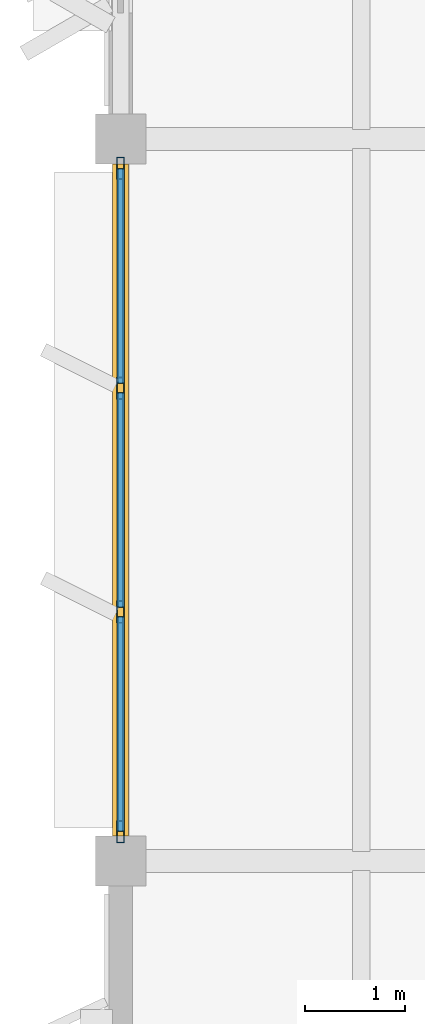
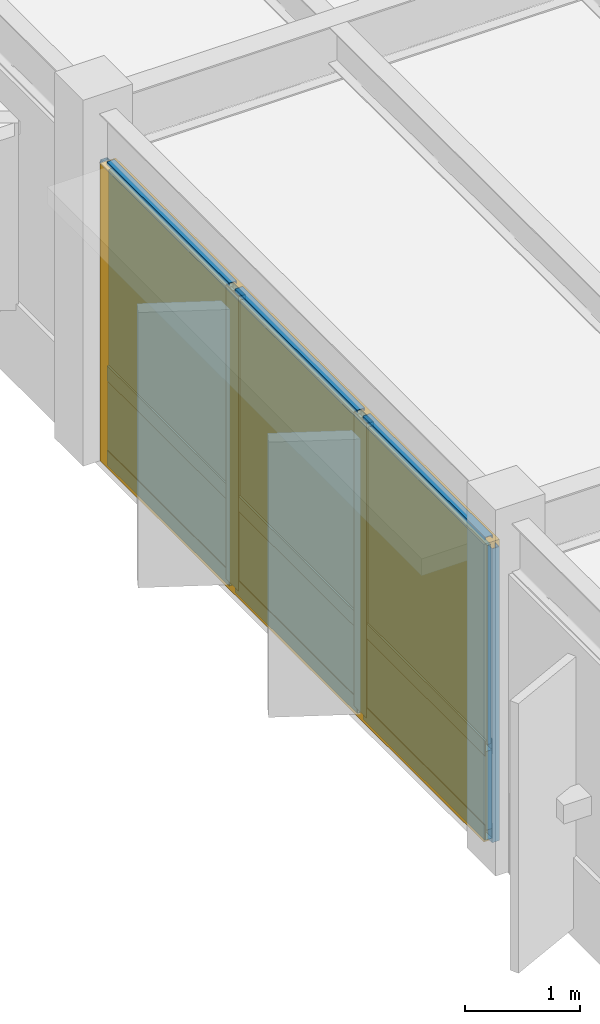
# One storey, part 49 of 82: 13 members, 6 plates, 1 curtain wall.
"""IFC4 building model written with IfcOpenShell, lengths in metres."""

import ifcopenshell
import ifcopenshell.guid

model = None  # the IFC model being written
_history = None  # IfcOwnerHistory: only IFC2X3 demands one
_inside = {}  # id of a spatial element -> (the spatial element, [elements in it])
_under = {}  # id of a project, library or spatial element -> (it, [spatial elements below it])
_declared = {}  # id of a project -> (the project, [libraries it declares])
_typed = {}  # id of a type object -> (the type object, [elements of that type])
_made_of = {}  # id of a material, layer set ... -> (it, [elements and type objects made of it])


def new_model(schema):
    """Start an empty IFC model of exactly this schema.

    Asked for "IFC4X3", IfcOpenShell would pick the latest addendum, in which some entities
    have other attributes; the version numbers below select the first issue.
    IFC2X3 requires an IfcOwnerHistory on every rooted entity: one is made here for all.
    """
    global model, _history
    if schema == "IFC4X3":
        model = ifcopenshell.file(schema_version=(4, 3, 0, 0))
    else:
        model = ifcopenshell.file(schema=schema)
    _inside.clear()
    _under.clear()
    _declared.clear()
    _typed.clear()
    _made_of.clear()
    _history = None
    if model.schema == "IFC2X3":
        org = make("IfcOrganization", Name="unknown")
        user = make(
            "IfcPersonAndOrganization",
            ThePerson=make("IfcPerson", FamilyName="unknown"),
            TheOrganization=org,
        )
        app = make(
            "IfcApplication",
            ApplicationDeveloper=org,
            Version="unknown",
            ApplicationFullName="unknown",
            ApplicationIdentifier="unknown",
        )
        _history = make(
            "IfcOwnerHistory",
            OwningUser=user,
            OwningApplication=app,
            ChangeAction="ADDED",
            CreationDate=0,
        )
    return model


def make(cls, **values):
    """One entity of the class cls with the attributes given. An attribute that is None is left unset."""
    return model.create_entity(
        cls, **{name: value for name, value in values.items() if value is not None}
    )


def rooted(cls, **values):
    """An entity with a GlobalId (a new one), such as an element, a storey or a relation."""
    return make(cls, GlobalId=ifcopenshell.guid.new(), OwnerHistory=_history, **values)


def si_unit(unit_type, name, prefix=None):
    """IfcSIUnit, for example si_unit("LENGTHUNIT", "METRE", prefix="MILLI")."""
    return make("IfcSIUnit", UnitType=unit_type, Prefix=prefix, Name=name)


def assignment(units):
    """IfcUnitAssignment: the units of a project."""
    return None if units is None else make("IfcUnitAssignment", Units=units)


def point(xyz):
    """IfcCartesianPoint."""
    return None if xyz is None else make("IfcCartesianPoint", Coordinates=xyz)


def direction(xyz):
    """IfcDirection."""
    return None if xyz is None else make("IfcDirection", DirectionRatios=xyz)


def frame(location, z_axis=None, x_axis=None):
    """IfcAxis2Placement3D, a coordinate frame: its origin and axes. An axis left out is left unset."""
    return make(
        "IfcAxis2Placement3D",
        Location=point(location),
        Axis=direction(z_axis),
        RefDirection=direction(x_axis),
    )


def frame_2d(location, x_axis=None):
    """IfcAxis2Placement2D, a coordinate frame in the plane: its origin and x axis."""
    return make(
        "IfcAxis2Placement2D", Location=point(location), RefDirection=direction(x_axis)
    )


def origin():
    """The frame at (0, 0, 0) with its axes left unset."""
    return frame((0.0, 0.0, 0.0))


def origin_2d():
    """The frame at (0, 0) in the plane with its x axis left unset."""
    return frame_2d((0.0, 0.0))


def place(relative_to, where):
    """IfcLocalPlacement: puts the frame where relative to a parent placement (None: the world)."""
    return make(
        "IfcLocalPlacement", PlacementRelTo=relative_to, RelativePlacement=where
    )


def context(
    kind, dimensions, precision=None, world=None, true_north=None, identifier=None
):
    """IfcGeometricRepresentationContext, for example the 3D "Model" context."""
    return make(
        "IfcGeometricRepresentationContext",
        ContextIdentifier=identifier,
        ContextType=kind,
        CoordinateSpaceDimension=dimensions,
        Precision=precision,
        WorldCoordinateSystem=world,
        TrueNorth=true_north,
    )


def subcontext(parent, identifier, kind, view, scale=None):
    """IfcGeometricRepresentationSubContext, for example "Body" below "Model"."""
    return make(
        "IfcGeometricRepresentationSubContext",
        ContextIdentifier=identifier,
        ContextType=kind,
        ParentContext=parent,
        TargetScale=scale,
        TargetView=view,
    )


def project(units=None, contexts=None):
    """IfcProject with its units and contexts."""
    return rooted(
        "IfcProject",
        Name="project",
        RepresentationContexts=contexts,
        UnitsInContext=assignment(units),
    )


def spatial(cls, under=None, at=None, **own):
    """A site, building, storey or space (cls), placed at a placement, below another one or the project."""
    s = rooted(cls, ObjectPlacement=at, **own)
    if under is not None:
        _under.setdefault(under.id(), (under, []))[1].append(s)
    return s


def profile(cls, at=None, kind="AREA", **sizes):
    """A parametric profile (cls). Its sizes go by their IFC names, for example OverallWidth=200.0."""
    return make(cls, ProfileType=kind, Position=at, **sizes)


def rectangle(**sizes):
    """IfcRectangleProfileDef."""
    return profile("IfcRectangleProfileDef", **sizes)


def hollow_rectangle(**sizes):
    """IfcRectangleHollowProfileDef."""
    return profile("IfcRectangleHollowProfileDef", **sizes)


def extrude(swept, where, along, depth):
    """IfcExtrudedAreaSolid: the profile swept, set in the frame where, extruded along a direction by depth."""
    return make(
        "IfcExtrudedAreaSolid",
        SweptArea=swept,
        Position=where,
        ExtrudedDirection=direction(along),
        Depth=depth,
    )


def shape(context_of_items, identifier, shape_type, items):
    """IfcShapeRepresentation: the items that make up one representation, for example the "Body"."""
    return make(
        "IfcShapeRepresentation",
        ContextOfItems=context_of_items,
        RepresentationIdentifier=identifier,
        RepresentationType=shape_type,
        Items=items,
    )


def material(Name=None, Category=None):
    """IfcMaterial."""
    return make("IfcMaterial", Name=Name, Category=Category)


def layer(
    of_material, thickness, ventilated=None, Name=None, Category=None, Priority=None
):
    """IfcMaterialLayer: one layer of a wall or slab, of a material (None: an air gap)."""
    return make(
        "IfcMaterialLayer",
        Material=of_material,
        LayerThickness=thickness,
        IsVentilated=ventilated,
        Name=Name,
        Category=Category,
        Priority=Priority,
    )


def layer_set(layers, Name=None):
    """IfcMaterialLayerSet."""
    return make("IfcMaterialLayerSet", MaterialLayers=layers, LayerSetName=Name)


def material_profile(
    of_material, cross_section, Name=None, Category=None, Priority=None
):
    """IfcMaterialProfile: a cross section and its material."""
    return make(
        "IfcMaterialProfile",
        Name=Name,
        Material=of_material,
        Profile=cross_section,
        Priority=Priority,
        Category=Category,
    )


def profile_set(profiles, Name=None, composite=None):
    """IfcMaterialProfileSet."""
    return make(
        "IfcMaterialProfileSet",
        Name=Name,
        MaterialProfiles=profiles,
        CompositeProfile=composite,
    )


def made_of(thing, what):
    """Note that an element or type object is made of a material, layer set ...; save() writes the relation."""
    if what is not None:
        _made_of.setdefault(what.id(), (what, []))[1].append(thing)
    return thing


def type_object(cls, material=None, **own):
    """A type object (cls), such as IfcWallType, which elements share."""
    return made_of(rooted(cls, **own), material)


def element(
    cls,
    number,
    at=None,
    inside=None,
    cuts=None,
    type_object=None,
    material=None,
    context=None,
    identifier="Body",
    shape_type=None,
    held_by="IfcProductDefinitionShape",
    body=None,
    shapes=None,
    **own,
):
    """One element of the class cls, such as IfcWall. Its Tag is "e" and its number.

    at: its placement. inside: the storey or other place that contains it. cuts: it is an
    opening in that element (IfcRelVoidsElement). A single representation is given by context,
    identifier, shape_type and body (its items); several are given by shapes. held_by: the class
    of the entity that holds the representations. save() writes the other relations.
    """
    e = rooted(cls, Tag="e%d" % number, ObjectPlacement=at, **own)
    if body is not None:
        shapes = [shape(context, identifier, shape_type, body)]
    if shapes is not None:
        e.Representation = make(held_by, Representations=shapes)
    if inside is not None:
        _inside.setdefault(inside.id(), (inside, []))[1].append(e)
    if cuts is not None:
        rooted(
            "IfcRelVoidsElement", RelatingBuildingElement=cuts, RelatedOpeningElement=e
        )
    if type_object is not None:
        _typed.setdefault(type_object.id(), (type_object, []))[1].append(e)
    return made_of(e, material)


def aggregate(whole, parts):
    """IfcRelAggregates: a whole, such as a stair, and the parts it consists of."""
    return rooted("IfcRelAggregates", RelatingObject=whole, RelatedObjects=parts)


def save(model, path):
    """Write the relations noted so far, then the file.

    IfcRelAggregates (storeys below a building ...), IfcRelContainedInSpatialStructure (elements
    in a storey), IfcRelDefinesByType, IfcRelAssociatesMaterial and IfcRelDeclares: one each for
    every whole, place, type object, material and project.
    """
    for whole, parts in _under.values():
        aggregate(whole, parts)
    for where, things in _inside.values():
        rooted(
            "IfcRelContainedInSpatialStructure",
            RelatedElements=things,
            RelatingStructure=where,
        )
    for kind, things in _typed.values():
        rooted("IfcRelDefinesByType", RelatedObjects=things, RelatingType=kind)
    for what, things in _made_of.values():
        rooted("IfcRelAssociatesMaterial", RelatedObjects=things, RelatingMaterial=what)
    for by, libraries in _declared.values():
        rooted("IfcRelDeclares", RelatingContext=by, RelatedDefinitions=libraries)
    model.write(path)


model = new_model("IFC4")

# Units and contexts
model_context = context("Model", 3, precision=1e-05, world=origin(), true_north=direction((0.0, 1.0)))
body_context = subcontext(model_context, "Body", "Model", "MODEL_VIEW")
ifc_project = project(units=[si_unit("LENGTHUNIT", "METRE"), si_unit("AREAUNIT", "SQUARE_METRE"), si_unit("VOLUMEUNIT", "CUBIC_METRE"), si_unit("PLANEANGLEUNIT", "RADIAN"), si_unit("MASSUNIT", "GRAM", prefix="KILO")], contexts=[model_context])

# Member
ifc_material_1 = material(Name="Anodized Aluminium 6063-T6", Category="aluminium")
ifc_material_profile_1 = material_profile(ifc_material_1, hollow_rectangle(XDim=0.074951171875, YDim=0.219970703125, WallThickness=0.0048828125, at=origin_2d()), Name="ALU 75x220x5")
ifc_profile_set_1 = profile_set([ifc_material_profile_1], Name="Anodized Aluminium 6063-T6")
member_type_1 = type_object("IfcMemberType", Name="CWM-75X180", PredefinedType="MULLION", material=ifc_profile_set_1)
site_placement = place(None, origin())
building_placement = place(site_placement, origin())
storey_placement = place(building_placement, frame((0.0, 0.0, 14.10009765625)))
member_1_placement = place(storey_placement, frame((7.199951171875, 65.090087890625, 0.02001953125), z_axis=(0.0, 0.0, 1.0), x_axis=(1.0, 0.0, 0.0)))
member_1 = element("IfcMember", 1, at=member_1_placement, type_object=member_type_1, Name="Curtain wall mullion CW-L04-01-09-W-00", PredefinedType="MULLION", context=body_context, shape_type="SweptSolid", body=[
    extrude(hollow_rectangle(XDim=0.074951171875, YDim=0.219970703125, WallThickness=0.0048828125, at=origin_2d()), origin(), (0.0, 0.0, 1.0), 3.1318359375),
])

member_2_placement = place(storey_placement, frame((7.199951171875, 67.283203125, 0.02001953125), z_axis=(0.0, 0.0, 1.0), x_axis=(1.0, 0.0, 0.0)))
member_2 = element("IfcMember", 2, at=member_2_placement, type_object=member_type_1, Name="Curtain wall mullion CW-L04-01-09-W-01", PredefinedType="MULLION", context=body_context, shape_type="SweptSolid", body=[
    extrude(hollow_rectangle(XDim=0.074951171875, YDim=0.219970703125, WallThickness=0.0048828125, at=origin_2d()), origin(), (0.0, 0.0, 1.0), 3.1318359375),
])

member_3_placement = place(storey_placement, frame((7.199951171875, 69.5166015625, 0.02001953125), z_axis=(0.0, 0.0, 1.0), x_axis=(1.0, 0.0, 0.0)))
member_3 = element("IfcMember", 3, at=member_3_placement, type_object=member_type_1, Name="Curtain wall mullion CW-L04-01-09-W-02", PredefinedType="MULLION", context=body_context, shape_type="SweptSolid", body=[
    extrude(hollow_rectangle(XDim=0.074951171875, YDim=0.219970703125, WallThickness=0.0048828125, at=origin_2d()), origin(), (0.0, 0.0, 1.0), 3.1318359375),
])

member_4_placement = place(storey_placement, frame((7.199951171875, 71.7099609375, 0.02001953125), z_axis=(0.0, 0.0, 1.0), x_axis=(1.0, 0.0, 0.0)))
member_4 = element("IfcMember", 4, at=member_4_placement, type_object=member_type_1, Name="Curtain wall mullion CW-L04-01-09-W-03", PredefinedType="MULLION", context=body_context, shape_type="SweptSolid", body=[
    extrude(hollow_rectangle(XDim=0.074951171875, YDim=0.219970703125, WallThickness=0.0048828125, at=origin_2d()), origin(), (0.0, 0.0, 1.0), 3.1318359375),
])

ifc_material_profile_2 = material_profile(ifc_material_1, hollow_rectangle(XDim=0.074951171875, YDim=0.159912109375, WallThickness=0.00390625, at=origin_2d()), Name="ALU 75x160x4")
ifc_profile_set_2 = profile_set([ifc_material_profile_2], Name="Anodized Aluminium 6063-T6")
member_type_2 = type_object("IfcMemberType", Name="CWT-75X150", PredefinedType="USERDEFINED", material=ifc_profile_set_2)
member_5_placement = place(storey_placement, frame((7.199951171875, 65.10009765625, 0.0498046875), z_axis=(0.0, 1.0, 0.0), x_axis=(-1.0, 0.0, 0.0)))
member_5 = element("IfcMember", 5, at=member_5_placement, type_object=member_type_2, Name="Curtain wall transom CW-L04-01-09-W-1.01", ObjectType="TRANSOM", PredefinedType="USERDEFINED", context=body_context, shape_type="SweptSolid", body=[
    extrude(hollow_rectangle(XDim=0.074951171875, YDim=0.159912109375, WallThickness=0.00390625, at=origin_2d()), origin(), (0.0, 0.0, 1.0), 2.13330078125),
])

member_6_placement = place(storey_placement, frame((7.199951171875, 67.333251953125, 0.0498046875), z_axis=(0.0, 1.0, 0.0), x_axis=(-1.0, 0.0, 0.0)))
member_6 = element("IfcMember", 6, at=member_6_placement, type_object=member_type_2, Name="Curtain wall transom CW-L04-01-09-W-1.02", ObjectType="TRANSOM", PredefinedType="USERDEFINED", context=body_context, shape_type="SweptSolid", body=[
    extrude(hollow_rectangle(XDim=0.074951171875, YDim=0.159912109375, WallThickness=0.00390625, at=origin_2d()), origin(), (0.0, 0.0, 1.0), 2.133544921875),
])

member_7_placement = place(storey_placement, frame((7.199951171875, 69.566650390625, 0.0498046875), z_axis=(0.0, 1.0, 0.0), x_axis=(-1.0, 0.0, 0.0)))
member_7 = element("IfcMember", 7, at=member_7_placement, type_object=member_type_2, Name="Curtain wall transom CW-L04-01-09-W-1.03", ObjectType="TRANSOM", PredefinedType="USERDEFINED", context=body_context, shape_type="SweptSolid", body=[
    extrude(hollow_rectangle(XDim=0.074951171875, YDim=0.159912109375, WallThickness=0.00390625, at=origin_2d()), origin(), (0.0, 0.0, 1.0), 2.13330078125),
])

member_8_placement = place(storey_placement, frame((7.199951171875, 65.10009765625, 0.949951171875), z_axis=(0.0, 1.0, 0.0), x_axis=(-1.0, 0.0, 0.0)))
member_8 = element("IfcMember", 8, at=member_8_placement, type_object=member_type_2, Name="Curtain wall transom CW-L04-01-09-W-2.01", ObjectType="TRANSOM", PredefinedType="USERDEFINED", context=body_context, shape_type="SweptSolid", body=[
    extrude(hollow_rectangle(XDim=0.074951171875, YDim=0.159912109375, WallThickness=0.00390625, at=origin_2d()), origin(), (0.0, 0.0, 1.0), 2.13330078125),
])

member_9_placement = place(storey_placement, frame((7.199951171875, 67.333251953125, 0.949951171875), z_axis=(0.0, 1.0, 0.0), x_axis=(-1.0, 0.0, 0.0)))
member_9 = element("IfcMember", 9, at=member_9_placement, type_object=member_type_2, Name="Curtain wall transom CW-L04-01-09-W-2.02", ObjectType="TRANSOM", PredefinedType="USERDEFINED", context=body_context, shape_type="SweptSolid", body=[
    extrude(hollow_rectangle(XDim=0.074951171875, YDim=0.159912109375, WallThickness=0.00390625, at=origin_2d()), origin(), (0.0, 0.0, 1.0), 2.133544921875),
])

member_10_placement = place(storey_placement, frame((7.199951171875, 69.566650390625, 0.949951171875), z_axis=(0.0, 1.0, 0.0), x_axis=(-1.0, 0.0, 0.0)))
member_10 = element("IfcMember", 10, at=member_10_placement, type_object=member_type_2, Name="Curtain wall transom CW-L04-01-09-W-2.03", ObjectType="TRANSOM", PredefinedType="USERDEFINED", context=body_context, shape_type="SweptSolid", body=[
    extrude(hollow_rectangle(XDim=0.074951171875, YDim=0.159912109375, WallThickness=0.00390625, at=origin_2d()), origin(), (0.0, 0.0, 1.0), 2.13330078125),
])

member_11_placement = place(storey_placement, frame((7.199951171875, 65.10009765625, 3.121826171875), z_axis=(0.0, 1.0, 0.0), x_axis=(-1.0, 0.0, 0.0)))
member_11 = element("IfcMember", 11, at=member_11_placement, type_object=member_type_2, Name="Curtain wall transom CW-L04-01-09-W-3.01", ObjectType="TRANSOM", PredefinedType="USERDEFINED", context=body_context, shape_type="SweptSolid", body=[
    extrude(hollow_rectangle(XDim=0.074951171875, YDim=0.159912109375, WallThickness=0.00390625, at=origin_2d()), origin(), (0.0, 0.0, 1.0), 2.13330078125),
])

member_12_placement = place(storey_placement, frame((7.199951171875, 67.333251953125, 3.121826171875), z_axis=(0.0, 1.0, 0.0), x_axis=(-1.0, 0.0, 0.0)))
member_12 = element("IfcMember", 12, at=member_12_placement, type_object=member_type_2, Name="Curtain wall transom CW-L04-01-09-W-3.02", ObjectType="TRANSOM", PredefinedType="USERDEFINED", context=body_context, shape_type="SweptSolid", body=[
    extrude(hollow_rectangle(XDim=0.074951171875, YDim=0.159912109375, WallThickness=0.00390625, at=origin_2d()), origin(), (0.0, 0.0, 1.0), 2.133544921875),
])

member_13_placement = place(storey_placement, frame((7.199951171875, 69.566650390625, 3.121826171875), z_axis=(0.0, 1.0, 0.0), x_axis=(-1.0, 0.0, 0.0)))
member_13 = element("IfcMember", 13, at=member_13_placement, type_object=member_type_2, Name="Curtain wall transom CW-L04-01-09-W-3.03", ObjectType="TRANSOM", PredefinedType="USERDEFINED", context=body_context, shape_type="SweptSolid", body=[
    extrude(hollow_rectangle(XDim=0.074951171875, YDim=0.159912109375, WallThickness=0.00390625, at=origin_2d()), origin(), (0.0, 0.0, 1.0), 2.13330078125),
])

# Plate
ifc_material_2 = material(Name="Acoustic Laminated Low-E Glazing", Category="glass")
ifc_layer_1 = layer(ifc_material_2, 0.0439453125)
ifc_layer_set_1 = layer_set([ifc_layer_1], Name="Acoustic Laminated Low-E Glazing")
plate_type_1 = type_object("IfcPlateType", Name="CWP-IGU-44", PredefinedType="CURTAIN_PANEL", material=ifc_layer_set_1)
plate_1_placement = place(storey_placement, frame((7.199951171875, 66.166748046875, 0.98974609375), z_axis=(0.0, 0.0, 1.0), x_axis=(0.0, 1.0, 0.0)))
plate_1 = element("IfcPlate", 14, at=plate_1_placement, type_object=plate_type_1, Name="Curtain wall vision glazing CW-L04-01-09-W-01", PredefinedType="CURTAIN_PANEL", context=body_context, shape_type="SweptSolid", body=[
    extrude(rectangle(XDim=2.143310546875, YDim=0.0400390625, at=origin_2d()), origin(), (0.0, 0.0, 1.0), 2.1220703125),
])

plate_2_placement = place(storey_placement, frame((7.199951171875, 68.39990234375, 0.98974609375), z_axis=(0.0, 0.0, 1.0), x_axis=(0.0, 1.0, 0.0)))
plate_2 = element("IfcPlate", 15, at=plate_2_placement, type_object=plate_type_1, Name="Curtain wall vision glazing CW-L04-01-09-W-02", PredefinedType="CURTAIN_PANEL", context=body_context, shape_type="SweptSolid", body=[
    extrude(rectangle(XDim=2.143310546875, YDim=0.0400390625, at=origin_2d()), origin(), (0.0, 0.0, 1.0), 2.1220703125),
])

plate_3_placement = place(storey_placement, frame((7.199951171875, 70.63330078125, 0.98974609375), z_axis=(0.0, 0.0, 1.0), x_axis=(0.0, 1.0, 0.0)))
plate_3 = element("IfcPlate", 16, at=plate_3_placement, type_object=plate_type_1, Name="Curtain wall vision glazing CW-L04-01-09-W-03", PredefinedType="CURTAIN_PANEL", context=body_context, shape_type="SweptSolid", body=[
    extrude(rectangle(XDim=2.143310546875, YDim=0.0400390625, at=origin_2d()), origin(), (0.0, 0.0, 1.0), 2.1220703125),
])

ifc_material_3 = material(Name="Insulated Stone-Composite Spandrel", Category="masonry")
ifc_layer_2 = layer(ifc_material_3, 0.068115234375)
ifc_layer_set_2 = layer_set([ifc_layer_2], Name="Insulated Stone-Composite Spandrel")
plate_type_2 = type_object("IfcPlateType", Name="CWP-SPN-68", PredefinedType="CURTAIN_PANEL", material=ifc_layer_set_2)
plate_4_placement = place(storey_placement, frame((7.199951171875, 66.166748046875, 0.080078125), z_axis=(0.0, 0.0, 1.0), x_axis=(0.0, 1.0, 0.0)))
plate_4 = element("IfcPlate", 17, at=plate_4_placement, type_object=plate_type_2, Name="Curtain wall spandrel panel CW-L04-01-09-W-01", PredefinedType="CURTAIN_PANEL", context=body_context, shape_type="SweptSolid", body=[
    extrude(rectangle(XDim=2.143310546875, YDim=0.06005859375, at=origin_2d()), origin(), (0.0, 0.0, 1.0), 0.840087890625),
])

plate_5_placement = place(storey_placement, frame((7.199951171875, 68.39990234375, 0.080078125), z_axis=(0.0, 0.0, 1.0), x_axis=(0.0, 1.0, 0.0)))
plate_5 = element("IfcPlate", 18, at=plate_5_placement, type_object=plate_type_2, Name="Curtain wall spandrel panel CW-L04-01-09-W-02", PredefinedType="CURTAIN_PANEL", context=body_context, shape_type="SweptSolid", body=[
    extrude(rectangle(XDim=2.143310546875, YDim=0.06005859375, at=origin_2d()), origin(), (0.0, 0.0, 1.0), 0.840087890625),
])

plate_6_placement = place(storey_placement, frame((7.199951171875, 70.63330078125, 0.080078125), z_axis=(0.0, 0.0, 1.0), x_axis=(0.0, 1.0, 0.0)))
plate_6 = element("IfcPlate", 19, at=plate_6_placement, type_object=plate_type_2, Name="Curtain wall spandrel panel CW-L04-01-09-W-03", PredefinedType="CURTAIN_PANEL", context=body_context, shape_type="SweptSolid", body=[
    extrude(rectangle(XDim=2.143310546875, YDim=0.06005859375, at=origin_2d()), origin(), (0.0, 0.0, 1.0), 0.840087890625),
])

# Site, building, storey
site = spatial("IfcSite", under=ifc_project, at=site_placement, CompositionType="ELEMENT")
building = spatial("IfcBuilding", under=site, at=building_placement, Name="Sillqori Civic Hall", CompositionType="ELEMENT")
storey = spatial("IfcBuildingStorey", under=building, at=storey_placement, Name="L04", CompositionType="ELEMENT", Elevation=14.10009765625)

# Curtain wall
ifc_material_4 = material(Name="Anodized Aluminium Curtain Wall System", Category="aluminium")
curtain_wall_type = type_object("IfcCurtainWallType", Name="CW-AD-370", PredefinedType="NOTDEFINED", material=ifc_material_4)
curtain_wall_placement = place(storey_placement, frame((7.199951171875, 68.39990234375, 0.0), z_axis=(0.0, 0.0, 1.0), x_axis=(0.0, 1.0, 0.0)))
curtain_wall = element("IfcCurtainWall", 20, at=curtain_wall_placement, inside=storey, type_object=curtain_wall_type, Name="L04 unitised curtain wall CW-L04-01-09-W", PredefinedType="NOTDEFINED", context=body_context, shape_type="SweptSolid", body=[
    extrude(rectangle(XDim=6.699951171875, YDim=0.159912109375, at=origin_2d()), origin(), (0.0, 0.0, 1.0), 3.172119140625),
])

aggregate(curtain_wall, [member_1, member_2, member_3, member_4, member_5, member_6, member_7, member_8, member_9, member_10, member_11, member_12, member_13, plate_4, plate_1, plate_5, plate_2, plate_6, plate_3])

save(model, "model.ifc")
